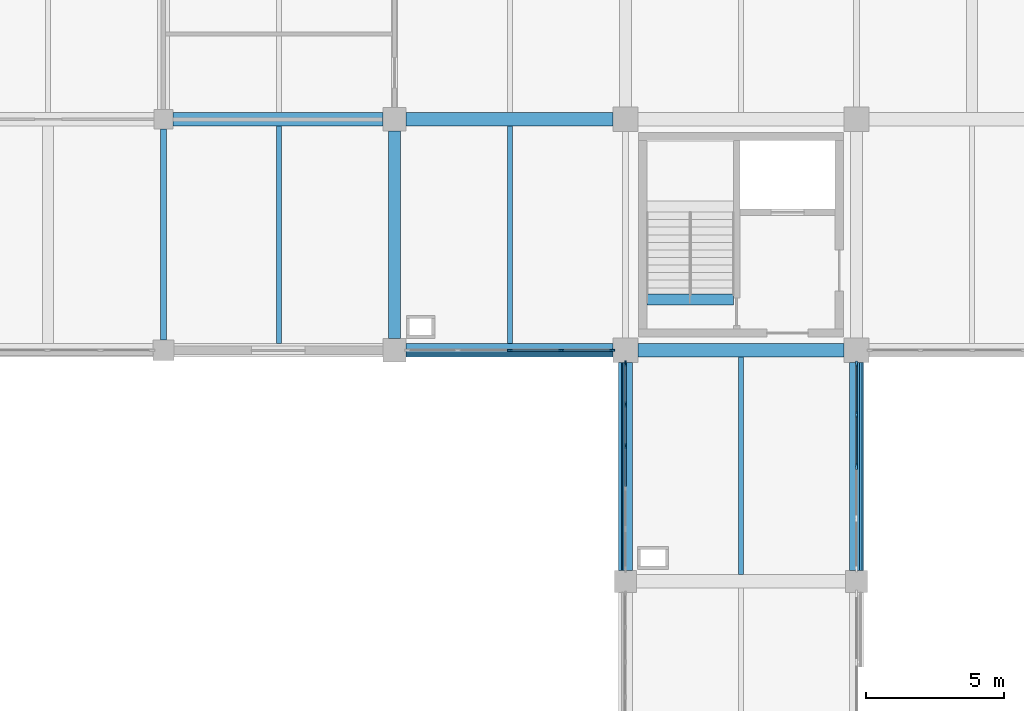
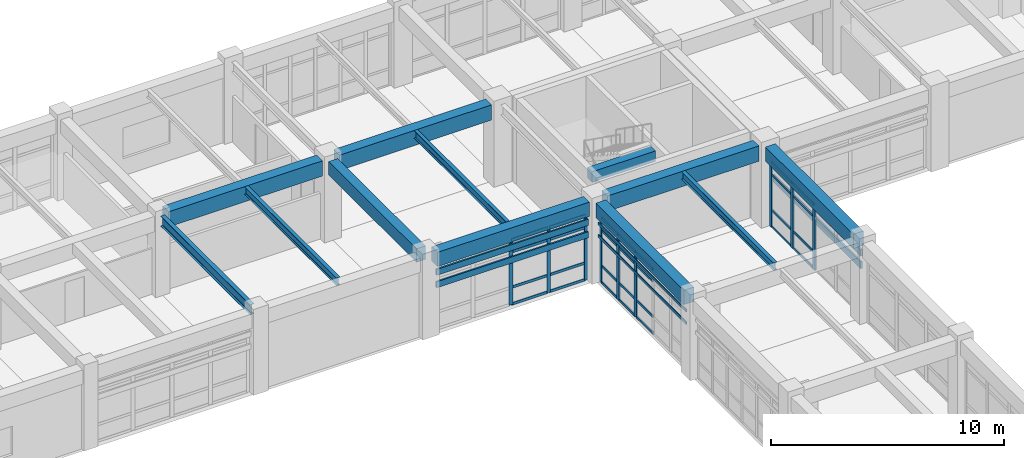
# One storey, part 29 of 99: 43 members, 12 beams, 3 elements without a shape of their own.
"""IFC4 building model written with IfcOpenShell, lengths in metres."""

from ifc_helpers import new_model, si_unit, direction, frame, origin, origin_2d, place, context, subcontext, project, spatial, rectangle, i_section, extrude, material, layer, layer_set, material_profile, profile_set, type_object, element, aggregate, save


model = new_model("IFC4")

# Units and contexts
model_context = context("Model", 3, precision=1e-05, world=origin(), true_north=direction((0.0, 1.0)))
body_context = subcontext(model_context, "Body", "Model", "MODEL_VIEW")
ifc_project = project(units=[si_unit("LENGTHUNIT", "METRE"), si_unit("AREAUNIT", "SQUARE_METRE"), si_unit("VOLUMEUNIT", "CUBIC_METRE"), si_unit("PLANEANGLEUNIT", "RADIAN"), si_unit("MASSUNIT", "GRAM", prefix="KILO")], contexts=[model_context])

# Site, building, storey
site_placement = place(None, origin())
site = spatial("IfcSite", under=ifc_project, at=site_placement, CompositionType="ELEMENT")
building_placement = place(site_placement, origin())
building = spatial("IfcBuilding", under=site, at=building_placement, Name="Porcellanite Civic Hall", CompositionType="ELEMENT")
storey_placement = place(building_placement, frame((0.0, 0.0, 5.760009765625)))
storey = spatial("IfcBuildingStorey", under=building, at=storey_placement, Name="L01", CompositionType="ELEMENT", Elevation=5.760009765625)

# Beams
ifc_material_1 = material(Name="Concrete N50 (50 MPa)", Category="concrete")
ifc_material_profile_1 = material_profile(ifc_material_1, rectangle(XDim=0.39990234375, YDim=0.550048828125, at=origin_2d()), Name="RC-400x550")
ifc_profile_set_1 = profile_set([ifc_material_profile_1], Name="Concrete N50 (50 MPa)")
beam_type_1 = type_object("IfcBeamType", Name="BM-RC550", PredefinedType="JOIST", material=ifc_profile_set_1)
beam_1_placement = place(storey_placement, frame((51.180419921875, 102.64990234375, 3.925048828125), z_axis=(1.0, 0.0, 0.0), x_axis=(0.0, 1.0, 0.0)))
element("IfcBeam", 1, at=beam_1_placement, inside=storey, type_object=beam_type_1, Name="Stair header beam C3 L01", PredefinedType="JOIST", context=body_context, shape_type="SweptSolid", body=[
    extrude(rectangle(XDim=0.39990234375, YDim=0.550048828125, at=origin_2d()), origin(), (0.0, 0.0, 1.0), 3.13916015625),
])
ifc_material_2 = material(Name="Concrete N50 (50 MPa)", Category="concrete")
ifc_material_profile_2 = material_profile(ifc_material_2, rectangle(XDim=0.449951171875, YDim=0.699951171875, at=origin_2d()), Name="RC-450x700")
ifc_profile_set_2 = profile_set([ifc_material_profile_2], Name="Concrete N50 (50 MPa)")
beam_type_2 = type_object("IfcBeamType", Name="BM-RC700", PredefinedType="BEAM", material=ifc_profile_set_2)
beam_2_placement = place(storey_placement, frame((42.0, 101.224609375, 3.85009765625), z_axis=(0.0, 1.0, 0.0), x_axis=(-1.0, 0.0, 0.0)))
element("IfcBeam", 2, at=beam_2_placement, inside=storey, type_object=beam_type_2, Name="Beam Y L01 6-13", PredefinedType="BEAM", context=body_context, shape_type="SweptSolid", body=[
    extrude(rectangle(XDim=0.449951171875, YDim=0.699951171875, at=origin_2d()), origin(), (0.0, 0.0, 1.0), 7.55078125),
])
ifc_material_3 = material(Name="Concrete N50 (50 MPa)", Category="concrete")
ifc_material_profile_3 = material_profile(ifc_material_3, rectangle(XDim=0.5, YDim=0.75, at=origin_2d()), Name="RC-500x750")
ifc_profile_set_3 = profile_set([ifc_material_profile_3], Name="Concrete N50 (50 MPa)")
beam_type_3 = type_object("IfcBeamType", Name="BM-RC750", PredefinedType="SPANDREL", material=ifc_profile_set_3)
beam_3_placement = place(storey_placement, frame((42.424560546875, 100.800048828125, 3.824951171875), z_axis=(1.0, 0.0, 0.0), x_axis=(0.0, 1.0, 0.0)))
element("IfcBeam", 3, at=beam_3_placement, inside=storey, type_object=beam_type_3, Name="Beam X L01 6-13", PredefinedType="SPANDREL", context=body_context, shape_type="SweptSolid", body=[
    extrude(rectangle(XDim=0.5, YDim=0.75, at=origin_2d()), origin(), (0.0, 0.0, 1.0), 7.52587890625),
])
for number, where, z_axis, x_axis, name in (
    (4, (50.39990234375, 92.799560546875, 3.824951171875), (0.0, 1.0, 0.0), (-1.0, 0.0, 0.0), "Beam Y L01 7-12"),
    (5, (58.800048828125, 92.799560546875, 3.824951171875), (0.0, 1.0, 0.0), (-1.0, 0.0, 0.0), "Beam Y L01 8-12"),
):
    element("IfcBeam", number, at=place(storey_placement, frame(where, z_axis=z_axis, x_axis=x_axis)), inside=storey, type_object=beam_type_3, Name=name, PredefinedType="SPANDREL", context=body_context, shape_type="SweptSolid", body=[
        extrude(rectangle(XDim=0.5, YDim=0.75, at=origin_2d()), origin(), (0.0, 0.0, 1.0), 7.551025390625),
    ])
ifc_material_4 = material(Name="Concrete N50 (50 MPa)", Category="concrete")
ifc_material_profile_4 = material_profile(ifc_material_4, rectangle(XDim=0.5, YDim=0.800048828125, at=origin_2d()), Name="RC-500x800")
ifc_profile_set_4 = profile_set([ifc_material_profile_4], Name="Concrete N50 (50 MPa)")
beam_type_4 = type_object("IfcBeamType", Name="BM-RC800", PredefinedType="BEAM", material=ifc_profile_set_4)
beam_4_placement = place(storey_placement, frame((33.949462890625, 109.199951171875, 3.800048828125), z_axis=(1.0, 0.0, 0.0), x_axis=(0.0, 1.0, 0.0)))
element("IfcBeam", 6, at=beam_4_placement, inside=storey, type_object=beam_type_4, Name="Beam X L01 5-14", PredefinedType="BEAM", context=body_context, shape_type="SweptSolid", body=[
    extrude(rectangle(XDim=0.5, YDim=0.800048828125, at=origin_2d()), origin(), (0.0, 0.0, 1.0), 7.6259765625),
])
beam_5_placement = place(storey_placement, frame((42.424560546875, 109.199951171875, 3.800048828125), z_axis=(1.0, 0.0, 0.0), x_axis=(0.0, 1.0, 0.0)))
element("IfcBeam", 7, at=beam_5_placement, inside=storey, type_object=beam_type_4, Name="Beam X L01 6-14", PredefinedType="BEAM", context=body_context, shape_type="SweptSolid", body=[
    extrude(rectangle(XDim=0.5, YDim=0.800048828125, at=origin_2d()), origin(), (0.0, 0.0, 1.0), 7.52587890625),
])
beam_6_placement = place(storey_placement, frame((50.849609375, 100.800048828125, 3.800048828125), z_axis=(1.0, 0.0, 0.0), x_axis=(0.0, 1.0, 0.0)))
element("IfcBeam", 8, at=beam_6_placement, inside=storey, type_object=beam_type_4, Name="Beam X L01 7-13", PredefinedType="BEAM", context=body_context, shape_type="SweptSolid", body=[
    extrude(rectangle(XDim=0.5, YDim=0.800048828125, at=origin_2d()), origin(), (0.0, 0.0, 1.0), 7.5009765625),
])

# Curtain wall, members
ifc_material_5 = material(Name="Anodised aluminium and solar laminated glass", Category="aluminium")
ifc_layer_1 = layer(ifc_material_5, 0.179931640625)
ifc_layer_set_1 = layer_set([ifc_layer_1], Name="Anodised aluminium and solar laminated glass")
curtain_wall_type_1 = type_object("IfcCurtainWallType", Name="CW-SYS03", PredefinedType="NOTDEFINED", material=ifc_layer_set_1)
curtain_wall_1_placement = place(storey_placement, origin())
curtain_wall_1 = element("IfcCurtainWall", 9, at=curtain_wall_1_placement, inside=storey, type_object=curtain_wall_type_1, Name="Curtain wall CW-084", PredefinedType="NOTDEFINED")
ifc_material_6 = material(Name="Anodised aluminium 6063-T6", Category="aluminium")
ifc_material_profile_5 = material_profile(ifc_material_6, rectangle(XDim=0.080078125, YDim=0.2099609375, at=origin_2d()), Name="AL-80x210")
ifc_profile_set_5 = profile_set([ifc_material_profile_5], Name="Anodised aluminium 6063-T6")
member_type_1 = type_object("IfcMemberType", Name="CWM-02", PredefinedType="MULLION", material=ifc_profile_set_5)
member_1_placement = place(storey_placement, frame((58.800048828125, 100.30908203125, 0.0), z_axis=(0.0, 0.0, 1.0), x_axis=(1.0, 0.0, 0.0)))
member_1 = element("IfcMember", 10, at=member_1_placement, type_object=member_type_1, Name="CW-084 mullion 1", PredefinedType="MULLION", context=body_context, shape_type="SweptSolid", body=[
    extrude(rectangle(XDim=0.080078125, YDim=0.2099609375, at=origin_2d()), origin(), (0.0, 0.0, 1.0), 3.39990234375),
])
member_2_placement = place(storey_placement, frame((58.800048828125, 98.4619140625, 0.0), z_axis=(0.0, 0.0, 1.0), x_axis=(1.0, 0.0, 0.0)))
member_2 = element("IfcMember", 11, at=member_2_placement, type_object=member_type_1, Name="CW-084 mullion 2", PredefinedType="MULLION", context=body_context, shape_type="SweptSolid", body=[
    extrude(rectangle(XDim=0.080078125, YDim=0.2099609375, at=origin_2d()), origin(), (0.0, 0.0, 1.0), 3.39990234375),
])
member_3_placement = place(storey_placement, frame((58.800048828125, 96.574951171875, 0.0), z_axis=(0.0, 0.0, 1.0), x_axis=(1.0, 0.0, 0.0)))
member_3 = element("IfcMember", 12, at=member_3_placement, type_object=member_type_1, Name="CW-084 mullion 3", PredefinedType="MULLION", context=body_context, shape_type="SweptSolid", body=[
    extrude(rectangle(XDim=0.080078125, YDim=0.2099609375, at=origin_2d()), origin(), (0.0, 0.0, 1.0), 3.39990234375),
])

ifc_material_7 = material(Name="Anodised aluminium and solar laminated glass", Category="aluminium")
ifc_layer_2 = layer(ifc_material_7, 0.179931640625)
ifc_layer_set_2 = layer_set([ifc_layer_2], Name="Anodised aluminium and solar laminated glass")
curtain_wall_type_2 = type_object("IfcCurtainWallType", Name="CW-SYS01", PredefinedType="NOTDEFINED", material=ifc_layer_set_2)
curtain_wall_2_placement = place(storey_placement, origin())
curtain_wall_2 = element("IfcCurtainWall", 13, at=curtain_wall_2_placement, inside=storey, type_object=curtain_wall_type_2, Name="Curtain wall CW-083", PredefinedType="NOTDEFINED")
ifc_material_8 = material(Name="Anodised aluminium 6063-T6", Category="aluminium")
ifc_material_profile_6 = material_profile(ifc_material_8, rectangle(XDim=0.070068359375, YDim=0.199951171875, at=origin_2d()), Name="AL-70x200")
ifc_profile_set_6 = profile_set([ifc_material_profile_6], Name="Anodised aluminium 6063-T6")
member_type_2 = type_object("IfcMemberType", Name="CWM-05", PredefinedType="MULLION", material=ifc_profile_set_6)
member_4_placement = place(storey_placement, frame((50.39990234375, 97.329833984375, 0.0), z_axis=(0.0, 0.0, 1.0), x_axis=(-1.0, 0.0, 0.0)))
member_4 = element("IfcMember", 14, at=member_4_placement, type_object=member_type_2, Name="CW-083 mullion 4", PredefinedType="MULLION", context=body_context, shape_type="SweptSolid", body=[
    extrude(rectangle(XDim=0.070068359375, YDim=0.199951171875, at=origin_2d()), origin(), (0.0, 0.0, 1.0), 3.39990234375),
])
member_5_placement = place(storey_placement, frame((50.39990234375, 98.83935546875, 0.0), z_axis=(0.0, 0.0, 1.0), x_axis=(-1.0, 0.0, 0.0)))
member_5 = element("IfcMember", 15, at=member_5_placement, type_object=member_type_2, Name="CW-083 mullion 5", PredefinedType="MULLION", context=body_context, shape_type="SweptSolid", body=[
    extrude(rectangle(XDim=0.070068359375, YDim=0.199951171875, at=origin_2d()), origin(), (0.0, 0.0, 1.0), 3.39990234375),
])
member_6_placement = place(storey_placement, frame((50.39990234375, 100.31396484375, 0.0), z_axis=(0.0, 0.0, 1.0), x_axis=(-1.0, 0.0, 0.0)))
member_6 = element("IfcMember", 16, at=member_6_placement, type_object=member_type_2, Name="CW-083 mullion 6", PredefinedType="MULLION", context=body_context, shape_type="SweptSolid", body=[
    extrude(rectangle(XDim=0.070068359375, YDim=0.199951171875, at=origin_2d()), origin(), (0.0, 0.0, 1.0), 3.39990234375),
])

ifc_material_9 = material(Name="Anodised aluminium and solar laminated glass", Category="aluminium")
ifc_layer_3 = layer(ifc_material_9, 0.179931640625)
ifc_layer_set_3 = layer_set([ifc_layer_3], Name="Anodised aluminium and solar laminated glass")
curtain_wall_type_3 = type_object("IfcCurtainWallType", Name="CW-SYS06", PredefinedType="NOTDEFINED", material=ifc_layer_set_3)
curtain_wall_3_placement = place(storey_placement, origin())
curtain_wall_3 = element("IfcCurtainWall", 17, at=curtain_wall_3_placement, inside=storey, type_object=curtain_wall_type_3, Name="Curtain wall CW-074", PredefinedType="NOTDEFINED")
ifc_material_10 = material(Name="Anodised aluminium 6063-T6", Category="aluminium")
ifc_material_profile_7 = material_profile(ifc_material_10, rectangle(XDim=0.06494140625, YDim=0.179931640625, at=origin_2d()), Name="AL-65x180")
ifc_profile_set_7 = profile_set([ifc_material_profile_7], Name="Anodised aluminium 6063-T6")
member_type_3 = type_object("IfcMemberType", Name="CWM-06", PredefinedType="MULLION", material=ifc_profile_set_7)
member_7_placement = place(storey_placement, frame((49.91650390625, 100.800048828125, 0.0), z_axis=(0.0, 0.0, 1.0), x_axis=(0.0, -1.0, 0.0)))
member_7 = element("IfcMember", 18, at=member_7_placement, type_object=member_type_3, Name="CW-074 mullion 1", PredefinedType="MULLION", context=body_context, shape_type="SweptSolid", body=[
    extrude(rectangle(XDim=0.06494140625, YDim=0.179931640625, at=origin_2d()), origin(), (0.0, 0.0, 1.0), 3.39990234375),
])
member_8_placement = place(storey_placement, frame((48.068359375, 100.800048828125, 0.0), z_axis=(0.0, 0.0, 1.0), x_axis=(0.0, -1.0, 0.0)))
member_8 = element("IfcMember", 19, at=member_8_placement, type_object=member_type_3, Name="CW-074 mullion 2", PredefinedType="MULLION", context=body_context, shape_type="SweptSolid", body=[
    extrude(rectangle(XDim=0.06494140625, YDim=0.179931640625, at=origin_2d()), origin(), (0.0, 0.0, 1.0), 3.39990234375),
])
member_9_placement = place(storey_placement, frame((46.1875, 100.800048828125, 0.0), z_axis=(0.0, 0.0, 1.0), x_axis=(0.0, -1.0, 0.0)))
member_9 = element("IfcMember", 20, at=member_9_placement, type_object=member_type_3, Name="CW-074 mullion 3", PredefinedType="MULLION", context=body_context, shape_type="SweptSolid", body=[
    extrude(rectangle(XDim=0.06494140625, YDim=0.179931640625, at=origin_2d()), origin(), (0.0, 0.0, 1.0), 3.39990234375),
])

# Member
ifc_material_11 = material(Name="Anodised aluminium 6063-T6", Category="aluminium")
ifc_material_profile_8 = material_profile(ifc_material_11, rectangle(XDim=0.06005859375, YDim=0.1298828125, at=origin_2d()), Name="AL-60x130")
ifc_profile_set_8 = profile_set([ifc_material_profile_8], Name="Anodised aluminium 6063-T6")
member_type_4 = type_object("IfcMemberType", Name="CWT-03", PredefinedType="USERDEFINED", material=ifc_profile_set_8)
member_10_placement = place(storey_placement, frame((50.39990234375, 95.855224609375, 0.030029296875), z_axis=(0.0, 1.0, 0.0), x_axis=(-1.0, 0.0, 0.0)))
member_10 = element("IfcMember", 21, at=member_10_placement, type_object=member_type_4, Name="CW-083 transom 3.1", ObjectType="TRANSOM", PredefinedType="USERDEFINED", context=body_context, shape_type="SweptSolid", body=[
    extrude(rectangle(XDim=0.06005859375, YDim=0.1298828125, at=origin_2d()), origin(), (0.0, 0.0, 1.0), 1.439697265625),
])

member_11_placement = place(storey_placement, frame((50.39990234375, 95.855224609375, 0.89990234375), z_axis=(0.0, 1.0, 0.0), x_axis=(-1.0, 0.0, 0.0)))
member_11 = element("IfcMember", 22, at=member_11_placement, type_object=member_type_4, Name="CW-083 transom 3.2", ObjectType="TRANSOM", PredefinedType="USERDEFINED", context=body_context, shape_type="SweptSolid", body=[
    extrude(rectangle(XDim=0.06005859375, YDim=0.1298828125, at=origin_2d()), origin(), (0.0, 0.0, 1.0), 1.439697265625),
])

member_12_placement = place(storey_placement, frame((50.39990234375, 95.855224609375, 2.75), z_axis=(0.0, 1.0, 0.0), x_axis=(-1.0, 0.0, 0.0)))
member_12 = element("IfcMember", 23, at=member_12_placement, type_object=member_type_4, Name="CW-083 transom 3.3", ObjectType="TRANSOM", PredefinedType="USERDEFINED", context=body_context, shape_type="SweptSolid", body=[
    extrude(rectangle(XDim=0.06005859375, YDim=0.1298828125, at=origin_2d()), origin(), (0.0, 0.0, 1.0), 1.439697265625),
])

member_13_placement = place(storey_placement, frame((50.39990234375, 95.855224609375, 3.369873046875), z_axis=(0.0, 1.0, 0.0), x_axis=(-1.0, 0.0, 0.0)))
member_13 = element("IfcMember", 24, at=member_13_placement, type_object=member_type_4, Name="CW-083 transom 3.4", ObjectType="TRANSOM", PredefinedType="USERDEFINED", context=body_context, shape_type="SweptSolid", body=[
    extrude(rectangle(XDim=0.06005859375, YDim=0.1298828125, at=origin_2d()), origin(), (0.0, 0.0, 1.0), 1.439697265625),
])

member_14_placement = place(storey_placement, frame((50.39990234375, 97.36474609375, 0.030029296875), z_axis=(0.0, 1.0, 0.0), x_axis=(-1.0, 0.0, 0.0)))
member_14 = element("IfcMember", 25, at=member_14_placement, type_object=member_type_4, Name="CW-083 transom 4.1", ObjectType="TRANSOM", PredefinedType="USERDEFINED", context=body_context, shape_type="SweptSolid", body=[
    extrude(rectangle(XDim=0.06005859375, YDim=0.1298828125, at=origin_2d()), origin(), (0.0, 0.0, 1.0), 1.439697265625),
])

member_15_placement = place(storey_placement, frame((50.39990234375, 97.36474609375, 0.89990234375), z_axis=(0.0, 1.0, 0.0), x_axis=(-1.0, 0.0, 0.0)))
member_15 = element("IfcMember", 26, at=member_15_placement, type_object=member_type_4, Name="CW-083 transom 4.2", ObjectType="TRANSOM", PredefinedType="USERDEFINED", context=body_context, shape_type="SweptSolid", body=[
    extrude(rectangle(XDim=0.06005859375, YDim=0.1298828125, at=origin_2d()), origin(), (0.0, 0.0, 1.0), 1.439697265625),
])

member_16_placement = place(storey_placement, frame((50.39990234375, 97.36474609375, 2.75), z_axis=(0.0, 1.0, 0.0), x_axis=(-1.0, 0.0, 0.0)))
member_16 = element("IfcMember", 27, at=member_16_placement, type_object=member_type_4, Name="CW-083 transom 4.3", ObjectType="TRANSOM", PredefinedType="USERDEFINED", context=body_context, shape_type="SweptSolid", body=[
    extrude(rectangle(XDim=0.06005859375, YDim=0.1298828125, at=origin_2d()), origin(), (0.0, 0.0, 1.0), 1.439697265625),
])

member_17_placement = place(storey_placement, frame((50.39990234375, 97.36474609375, 3.369873046875), z_axis=(0.0, 1.0, 0.0), x_axis=(-1.0, 0.0, 0.0)))
member_17 = element("IfcMember", 28, at=member_17_placement, type_object=member_type_4, Name="CW-083 transom 4.4", ObjectType="TRANSOM", PredefinedType="USERDEFINED", context=body_context, shape_type="SweptSolid", body=[
    extrude(rectangle(XDim=0.06005859375, YDim=0.1298828125, at=origin_2d()), origin(), (0.0, 0.0, 1.0), 1.439697265625),
])

member_18_placement = place(storey_placement, frame((50.39990234375, 98.87451171875, 0.030029296875), z_axis=(0.0, 1.0, 0.0), x_axis=(-1.0, 0.0, 0.0)))
member_18 = element("IfcMember", 29, at=member_18_placement, type_object=member_type_4, Name="CW-083 transom 5.1", ObjectType="TRANSOM", PredefinedType="USERDEFINED", context=body_context, shape_type="SweptSolid", body=[
    extrude(rectangle(XDim=0.06005859375, YDim=0.1298828125, at=origin_2d()), origin(), (0.0, 0.0, 1.0), 1.404541015625),
])

member_19_placement = place(storey_placement, frame((50.39990234375, 98.87451171875, 0.89990234375), z_axis=(0.0, 1.0, 0.0), x_axis=(-1.0, 0.0, 0.0)))
member_19 = element("IfcMember", 30, at=member_19_placement, type_object=member_type_4, Name="CW-083 transom 5.2", ObjectType="TRANSOM", PredefinedType="USERDEFINED", context=body_context, shape_type="SweptSolid", body=[
    extrude(rectangle(XDim=0.06005859375, YDim=0.1298828125, at=origin_2d()), origin(), (0.0, 0.0, 1.0), 1.404541015625),
])

member_20_placement = place(storey_placement, frame((50.39990234375, 98.87451171875, 2.75), z_axis=(0.0, 1.0, 0.0), x_axis=(-1.0, 0.0, 0.0)))
member_20 = element("IfcMember", 31, at=member_20_placement, type_object=member_type_4, Name="CW-083 transom 5.3", ObjectType="TRANSOM", PredefinedType="USERDEFINED", context=body_context, shape_type="SweptSolid", body=[
    extrude(rectangle(XDim=0.06005859375, YDim=0.1298828125, at=origin_2d()), origin(), (0.0, 0.0, 1.0), 1.404541015625),
])

member_21_placement = place(storey_placement, frame((50.39990234375, 98.87451171875, 3.369873046875), z_axis=(0.0, 1.0, 0.0), x_axis=(-1.0, 0.0, 0.0)))
member_21 = element("IfcMember", 32, at=member_21_placement, type_object=member_type_4, Name="CW-083 transom 5.4", ObjectType="TRANSOM", PredefinedType="USERDEFINED", context=body_context, shape_type="SweptSolid", body=[
    extrude(rectangle(XDim=0.06005859375, YDim=0.1298828125, at=origin_2d()), origin(), (0.0, 0.0, 1.0), 1.404541015625),
])

aggregate(curtain_wall_2, [member_4, member_5, member_6, member_10, member_11, member_12, member_13, member_14, member_15, member_16, member_17, member_18, member_19, member_20, member_21])

ifc_material_12 = material(Name="Anodised aluminium 6063-T6", Category="aluminium")
ifc_material_profile_9 = material_profile(ifc_material_12, rectangle(XDim=0.054931640625, YDim=0.1201171875, at=origin_2d()), Name="AL-55x120")
ifc_profile_set_9 = profile_set([ifc_material_profile_9], Name="Anodised aluminium 6063-T6")
member_type_5 = type_object("IfcMemberType", Name="CWT-04", PredefinedType="USERDEFINED", material=ifc_profile_set_9)
member_22_placement = place(storey_placement, frame((58.800048828125, 100.26904296875, 0.027587890625), z_axis=(0.0, -1.0, 0.0), x_axis=(1.0, 0.0, 0.0)))
member_22 = element("IfcMember", 33, at=member_22_placement, type_object=member_type_5, Name="CW-084 transom 1.1", ObjectType="TRANSOM", PredefinedType="USERDEFINED", context=body_context, shape_type="SweptSolid", body=[
    extrude(rectangle(XDim=0.054931640625, YDim=0.1201171875, at=origin_2d()), origin(), (0.0, 0.0, 1.0), 1.76708984375),
])

member_23_placement = place(storey_placement, frame((58.800048828125, 100.26904296875, 0.89990234375), z_axis=(0.0, -1.0, 0.0), x_axis=(1.0, 0.0, 0.0)))
member_23 = element("IfcMember", 34, at=member_23_placement, type_object=member_type_5, Name="CW-084 transom 1.2", ObjectType="TRANSOM", PredefinedType="USERDEFINED", context=body_context, shape_type="SweptSolid", body=[
    extrude(rectangle(XDim=0.054931640625, YDim=0.1201171875, at=origin_2d()), origin(), (0.0, 0.0, 1.0), 1.76708984375),
])

member_24_placement = place(storey_placement, frame((58.800048828125, 100.26904296875, 2.75), z_axis=(0.0, -1.0, 0.0), x_axis=(1.0, 0.0, 0.0)))
member_24 = element("IfcMember", 35, at=member_24_placement, type_object=member_type_5, Name="CW-084 transom 1.3", ObjectType="TRANSOM", PredefinedType="USERDEFINED", context=body_context, shape_type="SweptSolid", body=[
    extrude(rectangle(XDim=0.054931640625, YDim=0.1201171875, at=origin_2d()), origin(), (0.0, 0.0, 1.0), 1.76708984375),
])

member_25_placement = place(storey_placement, frame((58.800048828125, 100.26904296875, 3.37255859375), z_axis=(0.0, -1.0, 0.0), x_axis=(1.0, 0.0, 0.0)))
member_25 = element("IfcMember", 36, at=member_25_placement, type_object=member_type_5, Name="CW-084 transom 1.4", ObjectType="TRANSOM", PredefinedType="USERDEFINED", context=body_context, shape_type="SweptSolid", body=[
    extrude(rectangle(XDim=0.054931640625, YDim=0.1201171875, at=origin_2d()), origin(), (0.0, 0.0, 1.0), 1.76708984375),
])

member_26_placement = place(storey_placement, frame((58.800048828125, 98.422119140625, 0.027587890625), z_axis=(0.0, -1.0, 0.0), x_axis=(1.0, 0.0, 0.0)))
member_26 = element("IfcMember", 37, at=member_26_placement, type_object=member_type_5, Name="CW-084 transom 2.1", ObjectType="TRANSOM", PredefinedType="USERDEFINED", context=body_context, shape_type="SweptSolid", body=[
    extrude(rectangle(XDim=0.054931640625, YDim=0.1201171875, at=origin_2d()), origin(), (0.0, 0.0, 1.0), 1.80712890625),
])

member_27_placement = place(storey_placement, frame((58.800048828125, 98.422119140625, 0.89990234375), z_axis=(0.0, -1.0, 0.0), x_axis=(1.0, 0.0, 0.0)))
member_27 = element("IfcMember", 38, at=member_27_placement, type_object=member_type_5, Name="CW-084 transom 2.2", ObjectType="TRANSOM", PredefinedType="USERDEFINED", context=body_context, shape_type="SweptSolid", body=[
    extrude(rectangle(XDim=0.054931640625, YDim=0.1201171875, at=origin_2d()), origin(), (0.0, 0.0, 1.0), 1.80712890625),
])

member_28_placement = place(storey_placement, frame((58.800048828125, 98.422119140625, 2.75), z_axis=(0.0, -1.0, 0.0), x_axis=(1.0, 0.0, 0.0)))
member_28 = element("IfcMember", 39, at=member_28_placement, type_object=member_type_5, Name="CW-084 transom 2.3", ObjectType="TRANSOM", PredefinedType="USERDEFINED", context=body_context, shape_type="SweptSolid", body=[
    extrude(rectangle(XDim=0.054931640625, YDim=0.1201171875, at=origin_2d()), origin(), (0.0, 0.0, 1.0), 1.80712890625),
])

member_29_placement = place(storey_placement, frame((58.800048828125, 98.422119140625, 3.37255859375), z_axis=(0.0, -1.0, 0.0), x_axis=(1.0, 0.0, 0.0)))
member_29 = element("IfcMember", 40, at=member_29_placement, type_object=member_type_5, Name="CW-084 transom 2.4", ObjectType="TRANSOM", PredefinedType="USERDEFINED", context=body_context, shape_type="SweptSolid", body=[
    extrude(rectangle(XDim=0.054931640625, YDim=0.1201171875, at=origin_2d()), origin(), (0.0, 0.0, 1.0), 1.80712890625),
])

aggregate(curtain_wall_1, [member_1, member_2, member_3, member_22, member_23, member_24, member_25, member_26, member_27, member_28, member_29])

ifc_material_13 = material(Name="Anodised aluminium 6063-T6", Category="aluminium")
ifc_material_profile_10 = material_profile(ifc_material_13, rectangle(XDim=0.050048828125, YDim=0.139892578125, at=origin_2d()), Name="AL-50x140")
ifc_profile_set_10 = profile_set([ifc_material_profile_10], Name="Anodised aluminium 6063-T6")
member_type_6 = type_object("IfcMemberType", Name="CWT-06", PredefinedType="USERDEFINED", material=ifc_profile_set_10)
member_30_placement = place(storey_placement, frame((49.884033203125, 100.800048828125, 0.02490234375), z_axis=(-1.0, 0.0, 0.0), x_axis=(0.0, -1.0, 0.0)))
member_30 = element("IfcMember", 41, at=member_30_placement, type_object=member_type_6, Name="CW-074 transom 1.1", ObjectType="TRANSOM", PredefinedType="USERDEFINED", context=body_context, shape_type="SweptSolid", body=[
    extrude(rectangle(XDim=0.050048828125, YDim=0.139892578125, at=origin_2d()), origin(), (0.0, 0.0, 1.0), 1.783203125),
])

member_31_placement = place(storey_placement, frame((49.884033203125, 100.800048828125, 0.89990234375), z_axis=(-1.0, 0.0, 0.0), x_axis=(0.0, -1.0, 0.0)))
member_31 = element("IfcMember", 42, at=member_31_placement, type_object=member_type_6, Name="CW-074 transom 1.2", ObjectType="TRANSOM", PredefinedType="USERDEFINED", context=body_context, shape_type="SweptSolid", body=[
    extrude(rectangle(XDim=0.050048828125, YDim=0.139892578125, at=origin_2d()), origin(), (0.0, 0.0, 1.0), 1.783203125),
])

member_32_placement = place(storey_placement, frame((49.884033203125, 100.800048828125, 2.75), z_axis=(-1.0, 0.0, 0.0), x_axis=(0.0, -1.0, 0.0)))
member_32 = element("IfcMember", 43, at=member_32_placement, type_object=member_type_6, Name="CW-074 transom 1.3", ObjectType="TRANSOM", PredefinedType="USERDEFINED", context=body_context, shape_type="SweptSolid", body=[
    extrude(rectangle(XDim=0.050048828125, YDim=0.139892578125, at=origin_2d()), origin(), (0.0, 0.0, 1.0), 1.783203125),
])

member_33_placement = place(storey_placement, frame((49.884033203125, 100.800048828125, 3.375), z_axis=(-1.0, 0.0, 0.0), x_axis=(0.0, -1.0, 0.0)))
member_33 = element("IfcMember", 44, at=member_33_placement, type_object=member_type_6, Name="CW-074 transom 1.4", ObjectType="TRANSOM", PredefinedType="USERDEFINED", context=body_context, shape_type="SweptSolid", body=[
    extrude(rectangle(XDim=0.050048828125, YDim=0.139892578125, at=origin_2d()), origin(), (0.0, 0.0, 1.0), 1.783203125),
])

member_34_placement = place(storey_placement, frame((48.03564453125, 100.800048828125, 0.02490234375), z_axis=(-1.0, 0.0, 0.0), x_axis=(0.0, -1.0, 0.0)))
member_34 = element("IfcMember", 45, at=member_34_placement, type_object=member_type_6, Name="CW-074 transom 2.1", ObjectType="TRANSOM", PredefinedType="USERDEFINED", context=body_context, shape_type="SweptSolid", body=[
    extrude(rectangle(XDim=0.050048828125, YDim=0.139892578125, at=origin_2d()), origin(), (0.0, 0.0, 1.0), 1.815673828125),
])

member_35_placement = place(storey_placement, frame((48.03564453125, 100.800048828125, 0.89990234375), z_axis=(-1.0, 0.0, 0.0), x_axis=(0.0, -1.0, 0.0)))
member_35 = element("IfcMember", 46, at=member_35_placement, type_object=member_type_6, Name="CW-074 transom 2.2", ObjectType="TRANSOM", PredefinedType="USERDEFINED", context=body_context, shape_type="SweptSolid", body=[
    extrude(rectangle(XDim=0.050048828125, YDim=0.139892578125, at=origin_2d()), origin(), (0.0, 0.0, 1.0), 1.815673828125),
])

member_36_placement = place(storey_placement, frame((48.03564453125, 100.800048828125, 2.75), z_axis=(-1.0, 0.0, 0.0), x_axis=(0.0, -1.0, 0.0)))
member_36 = element("IfcMember", 47, at=member_36_placement, type_object=member_type_6, Name="CW-074 transom 2.3", ObjectType="TRANSOM", PredefinedType="USERDEFINED", context=body_context, shape_type="SweptSolid", body=[
    extrude(rectangle(XDim=0.050048828125, YDim=0.139892578125, at=origin_2d()), origin(), (0.0, 0.0, 1.0), 1.815673828125),
])

member_37_placement = place(storey_placement, frame((48.03564453125, 100.800048828125, 3.375), z_axis=(-1.0, 0.0, 0.0), x_axis=(0.0, -1.0, 0.0)))
member_37 = element("IfcMember", 48, at=member_37_placement, type_object=member_type_6, Name="CW-074 transom 2.4", ObjectType="TRANSOM", PredefinedType="USERDEFINED", context=body_context, shape_type="SweptSolid", body=[
    extrude(rectangle(XDim=0.050048828125, YDim=0.139892578125, at=origin_2d()), origin(), (0.0, 0.0, 1.0), 1.815673828125),
])

aggregate(curtain_wall_3, [member_7, member_8, member_9, member_30, member_31, member_32, member_33, member_34, member_35, member_36, member_37])

# Beams
ifc_material_14 = material(Name="Steel Grade 350", Category="steel")
ifc_material_profile_11 = material_profile(ifc_material_14, i_section(OverallWidth=0.177978515625, OverallDepth=0.403076171875, WebThickness=0.007568359375, FlangeThickness=0.010986328125, FilletRadius=0.011474609375, at=origin_2d()), Name="410UB53.7")
ifc_profile_set_11 = profile_set([ifc_material_profile_11], Name="Steel Grade 350")
beam_type_5 = type_object("IfcBeamType", Name="JST-410UB54", PredefinedType="JOIST", material=ifc_profile_set_11)
beam_7_placement = place(storey_placement, frame((46.199951171875, 101.049560546875, 3.99853515625), z_axis=(0.0, 1.0, 0.0), x_axis=(-1.0, 0.0, 0.0)))
element("IfcBeam", 49, at=beam_7_placement, inside=storey, type_object=beam_type_5, Name="Secondary joist L01 6-13", PredefinedType="JOIST", context=body_context, shape_type="SweptSolid", body=[
    extrude(i_section(OverallWidth=0.177978515625, OverallDepth=0.403076171875, WebThickness=0.007568359375, FlangeThickness=0.010986328125, FilletRadius=0.011474609375, at=origin_2d()), origin(), (0.0, 0.0, 1.0), 7.90087890625),
])
beam_8_placement = place(storey_placement, frame((54.60009765625, 92.6494140625, 3.99853515625), z_axis=(0.0, 1.0, 0.0), x_axis=(-1.0, 0.0, 0.0)))
element("IfcBeam", 50, at=beam_8_placement, inside=storey, type_object=beam_type_5, Name="Secondary joist L01 7-12", PredefinedType="JOIST", context=body_context, shape_type="SweptSolid", body=[
    extrude(i_section(OverallWidth=0.177978515625, OverallDepth=0.403076171875, WebThickness=0.007568359375, FlangeThickness=0.010986328125, FilletRadius=0.011474609375, at=origin_2d()), origin(), (0.0, 0.0, 1.0), 7.901123046875),
])
ifc_material_15 = material(Name="Steel Grade 350", Category="steel")
ifc_material_profile_12 = material_profile(ifc_material_15, i_section(OverallWidth=0.177978515625, OverallDepth=0.406005859375, WebThickness=0.0078125, FlangeThickness=0.0126953125, FilletRadius=0.011474609375, at=origin_2d()), Name="410UB59.7")
ifc_profile_set_12 = profile_set([ifc_material_profile_12], Name="Steel Grade 350")
beam_type_6 = type_object("IfcBeamType", Name="JST-410UB60", PredefinedType="JOIST", material=ifc_profile_set_12)
beam_9_placement = place(storey_placement, frame((37.800048828125, 101.049560546875, 3.9970703125), z_axis=(0.0, 1.0, 0.0), x_axis=(-1.0, 0.0, 0.0)))
element("IfcBeam", 51, at=beam_9_placement, inside=storey, type_object=beam_type_6, Name="Secondary joist L01 5-13", PredefinedType="JOIST", context=body_context, shape_type="SweptSolid", body=[
    extrude(i_section(OverallWidth=0.177978515625, OverallDepth=0.406005859375, WebThickness=0.0078125, FlangeThickness=0.0126953125, FilletRadius=0.011474609375, at=origin_2d()), origin(), (0.0, 0.0, 1.0), 7.90087890625),
])

# Members
ifc_material_16 = material(Name="Fluoropolymer bauxite-red aluminium 6063-T6", Category="aluminium")
ifc_material_profile_13 = material_profile(ifc_material_16, rectangle(XDim=0.090087890625, YDim=0.360107421875, at=origin_2d()), Name="AL-90x360")
ifc_profile_set_13 = profile_set([ifc_material_profile_13], Name="Fluoropolymer bauxite-red aluminium 6063-T6")
member_type_7 = type_object("IfcMemberType", Name="LV-BLD01", PredefinedType="USERDEFINED", material=ifc_profile_set_13)
for number, where, z_axis, x_axis, name in (
    (52, (58.951904296875, 100.3505859375, 3.10009765625), (0.0, -1.0, 0.0), (1.0, 0.0, 0.0), "Cyclone sunshade louvre L01 E 6-11 1"),
    (53, (58.951904296875, 100.3505859375, 2.449951171875), (0.0, -1.0, 0.0), (1.0, 0.0, 0.0), "Cyclone sunshade louvre L01 E 6-11 2"),
):
    element("IfcMember", number, at=place(storey_placement, frame(where, z_axis=z_axis, x_axis=x_axis)), inside=storey, type_object=member_type_7, Name=name, ObjectType="LOUVRE BLADE", PredefinedType="USERDEFINED", context=body_context, shape_type="SweptSolid", body=[
        extrude(rectangle(XDim=0.090087890625, YDim=0.360107421875, at=origin_2d()), origin(), (0.0, 0.0, 1.0), 7.551025390625),
    ])
ifc_material_17 = material(Name="Fluoropolymer bauxite-red aluminium 6063-T6", Category="aluminium")
ifc_material_profile_14 = material_profile(ifc_material_17, rectangle(XDim=0.080078125, YDim=0.320068359375, at=origin_2d()), Name="AL-80x320")
ifc_profile_set_14 = profile_set([ifc_material_profile_14], Name="Fluoropolymer bauxite-red aluminium 6063-T6")
member_type_8 = type_object("IfcMemberType", Name="LV-BLD03", PredefinedType="USERDEFINED", material=ifc_profile_set_14)
for number, where, z_axis, x_axis, name in (
    (54, (49.950439453125, 100.66796875, 3.10009765625), (-1.0, 0.0, 0.0), (0.0, -1.0, 0.0), "Cyclone sunshade louvre L01 S 5-12 1"),
    (55, (49.950439453125, 100.66796875, 2.449951171875), (-1.0, 0.0, 0.0), (0.0, -1.0, 0.0), "Cyclone sunshade louvre L01 S 5-12 2"),
):
    element("IfcMember", number, at=place(storey_placement, frame(where, z_axis=z_axis, x_axis=x_axis)), inside=storey, type_object=member_type_8, Name=name, ObjectType="LOUVRE BLADE", PredefinedType="USERDEFINED", context=body_context, shape_type="SweptSolid", body=[
        extrude(rectangle(XDim=0.080078125, YDim=0.320068359375, at=origin_2d()), origin(), (0.0, 0.0, 1.0), 7.52587890625),
    ])
ifc_material_18 = material(Name="Fluoropolymer bauxite-red aluminium 6063-T6", Category="aluminium")
ifc_material_profile_15 = material_profile(ifc_material_18, rectangle(XDim=0.0400390625, YDim=0.139892578125, at=origin_2d()), Name="AL-40x140")
ifc_profile_set_15 = profile_set([ifc_material_profile_15], Name="Fluoropolymer bauxite-red aluminium 6063-T6")
member_type_9 = type_object("IfcMemberType", Name="LV-BLD12", PredefinedType="USERDEFINED", material=ifc_profile_set_15)
for number, where, z_axis, x_axis, name in (
    (56, (50.278076171875, 92.799560546875, 3.10009765625), (0.0, 1.0, 0.0), (-1.0, 0.0, 0.0), "Cyclone sunshade louvre L01 W 6-11 1"),
    (57, (50.278076171875, 92.799560546875, 2.449951171875), (0.0, 1.0, 0.0), (-1.0, 0.0, 0.0), "Cyclone sunshade louvre L01 W 6-11 2"),
):
    element("IfcMember", number, at=place(storey_placement, frame(where, z_axis=z_axis, x_axis=x_axis)), inside=storey, type_object=member_type_9, Name=name, ObjectType="LOUVRE BLADE", PredefinedType="USERDEFINED", context=body_context, shape_type="SweptSolid", body=[
        extrude(rectangle(XDim=0.0400390625, YDim=0.139892578125, at=origin_2d()), origin(), (0.0, 0.0, 1.0), 7.551025390625),
    ])

# Beam
ifc_material_19 = material(Name="Steel Grade 350", Category="steel")
ifc_material_profile_16 = material_profile(ifc_material_19, i_section(OverallWidth=0.208984375, OverallDepth=0.528076171875, WebThickness=0.009521484375, FlangeThickness=0.01318359375, FilletRadius=0.013916015625, at=origin_2d()), Name="530UB82.0")
ifc_profile_set_16 = profile_set([ifc_material_profile_16], Name="Steel Grade 350")
beam_type_7 = type_object("IfcBeamType", Name="RAF-530UB82", PredefinedType="BEAM", material=ifc_profile_set_16)
beam_10_placement = place(storey_placement, frame((33.60009765625, 101.174560546875, 3.93603515625), z_axis=(0.0, 1.0, 0.0), x_axis=(-1.0, 0.0, 0.0)))
element("IfcBeam", 58, at=beam_10_placement, inside=storey, type_object=beam_type_7, Name="Beam Y L01 5-13", PredefinedType="BEAM", context=body_context, shape_type="SweptSolid", body=[
    extrude(i_section(OverallWidth=0.208984375, OverallDepth=0.528076171875, WebThickness=0.009521484375, FlangeThickness=0.01318359375, FilletRadius=0.013916015625, at=origin_2d()), origin(), (0.0, 0.0, 1.0), 7.676025390625),
])

save(model, "model.ifc")
